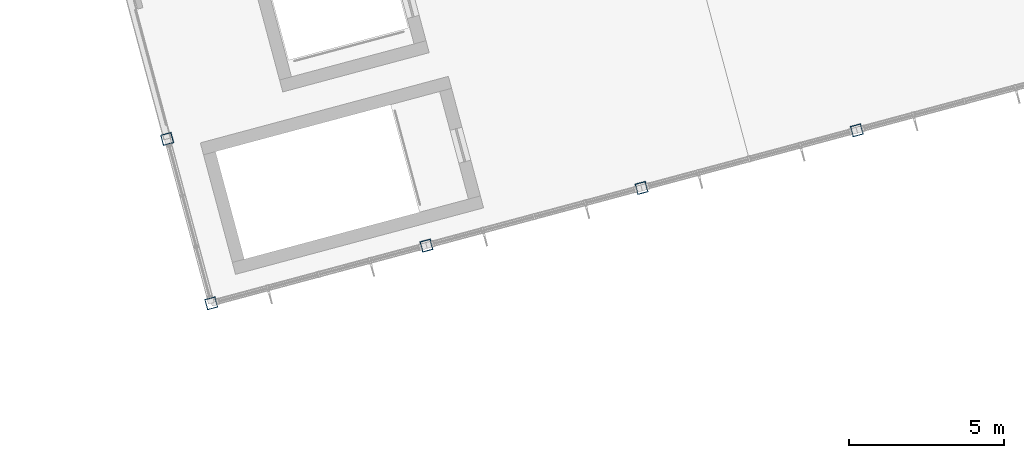
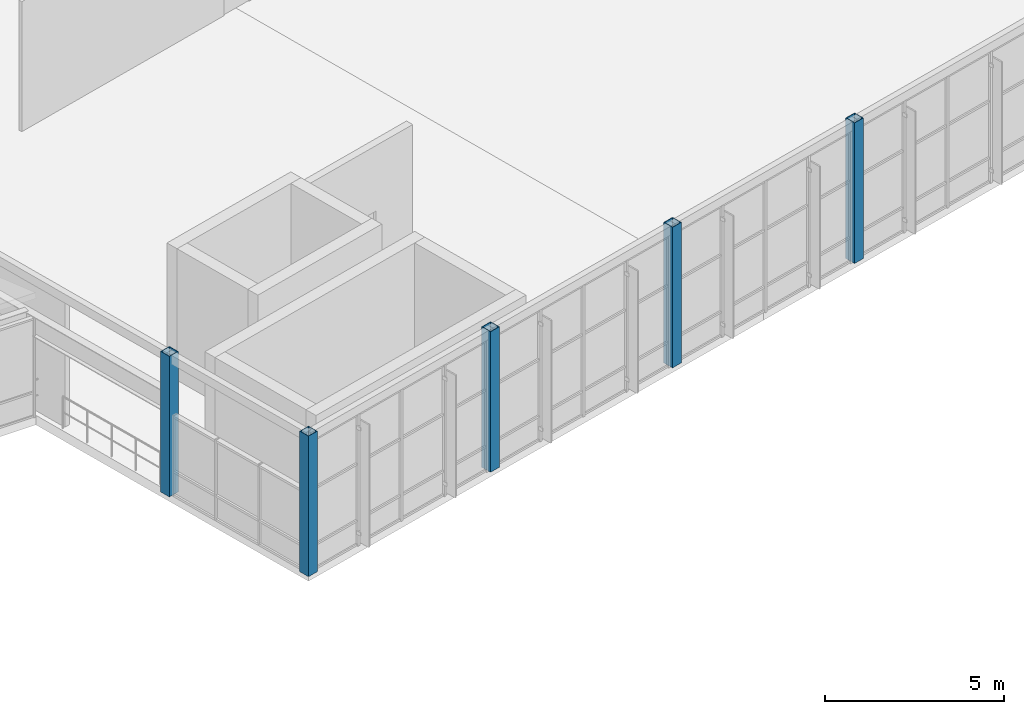
# One storey, part 2 of 99: 5 columns.
"""IFC4 building model written with IfcOpenShell, lengths in metres."""

import ifcopenshell
import ifcopenshell.guid

model = None  # the IFC model being written
_history = None  # IfcOwnerHistory: only IFC2X3 demands one
_inside = {}  # id of a spatial element -> (the spatial element, [elements in it])
_under = {}  # id of a project, library or spatial element -> (it, [spatial elements below it])
_declared = {}  # id of a project -> (the project, [libraries it declares])
_typed = {}  # id of a type object -> (the type object, [elements of that type])
_made_of = {}  # id of a material, layer set ... -> (it, [elements and type objects made of it])


def new_model(schema):
    """Start an empty IFC model of exactly this schema.

    Asked for "IFC4X3", IfcOpenShell would pick the latest addendum, in which some entities
    have other attributes; the version numbers below select the first issue.
    IFC2X3 requires an IfcOwnerHistory on every rooted entity: one is made here for all.
    """
    global model, _history
    if schema == "IFC4X3":
        model = ifcopenshell.file(schema_version=(4, 3, 0, 0))
    else:
        model = ifcopenshell.file(schema=schema)
    _inside.clear()
    _under.clear()
    _declared.clear()
    _typed.clear()
    _made_of.clear()
    _history = None
    if model.schema == "IFC2X3":
        org = make("IfcOrganization", Name="unknown")
        user = make(
            "IfcPersonAndOrganization",
            ThePerson=make("IfcPerson", FamilyName="unknown"),
            TheOrganization=org,
        )
        app = make(
            "IfcApplication",
            ApplicationDeveloper=org,
            Version="unknown",
            ApplicationFullName="unknown",
            ApplicationIdentifier="unknown",
        )
        _history = make(
            "IfcOwnerHistory",
            OwningUser=user,
            OwningApplication=app,
            ChangeAction="ADDED",
            CreationDate=0,
        )
    return model


def make(cls, **values):
    """One entity of the class cls with the attributes given. An attribute that is None is left unset."""
    return model.create_entity(
        cls, **{name: value for name, value in values.items() if value is not None}
    )


def rooted(cls, **values):
    """An entity with a GlobalId (a new one), such as an element, a storey or a relation."""
    return make(cls, GlobalId=ifcopenshell.guid.new(), OwnerHistory=_history, **values)


def si_unit(unit_type, name, prefix=None):
    """IfcSIUnit, for example si_unit("LENGTHUNIT", "METRE", prefix="MILLI")."""
    return make("IfcSIUnit", UnitType=unit_type, Prefix=prefix, Name=name)


def assignment(units):
    """IfcUnitAssignment: the units of a project."""
    return None if units is None else make("IfcUnitAssignment", Units=units)


def point(xyz):
    """IfcCartesianPoint."""
    return None if xyz is None else make("IfcCartesianPoint", Coordinates=xyz)


def direction(xyz):
    """IfcDirection."""
    return None if xyz is None else make("IfcDirection", DirectionRatios=xyz)


def frame(location, z_axis=None, x_axis=None):
    """IfcAxis2Placement3D, a coordinate frame: its origin and axes. An axis left out is left unset."""
    return make(
        "IfcAxis2Placement3D",
        Location=point(location),
        Axis=direction(z_axis),
        RefDirection=direction(x_axis),
    )


def frame_2d(location, x_axis=None):
    """IfcAxis2Placement2D, a coordinate frame in the plane: its origin and x axis."""
    return make(
        "IfcAxis2Placement2D", Location=point(location), RefDirection=direction(x_axis)
    )


def origin():
    """The frame at (0, 0, 0) with its axes left unset."""
    return frame((0.0, 0.0, 0.0))


def origin_2d():
    """The frame at (0, 0) in the plane with its x axis left unset."""
    return frame_2d((0.0, 0.0))


def place(relative_to, where):
    """IfcLocalPlacement: puts the frame where relative to a parent placement (None: the world)."""
    return make(
        "IfcLocalPlacement", PlacementRelTo=relative_to, RelativePlacement=where
    )


def context(
    kind, dimensions, precision=None, world=None, true_north=None, identifier=None
):
    """IfcGeometricRepresentationContext, for example the 3D "Model" context."""
    return make(
        "IfcGeometricRepresentationContext",
        ContextIdentifier=identifier,
        ContextType=kind,
        CoordinateSpaceDimension=dimensions,
        Precision=precision,
        WorldCoordinateSystem=world,
        TrueNorth=true_north,
    )


def subcontext(parent, identifier, kind, view, scale=None):
    """IfcGeometricRepresentationSubContext, for example "Body" below "Model"."""
    return make(
        "IfcGeometricRepresentationSubContext",
        ContextIdentifier=identifier,
        ContextType=kind,
        ParentContext=parent,
        TargetScale=scale,
        TargetView=view,
    )


def project(units=None, contexts=None):
    """IfcProject with its units and contexts."""
    return rooted(
        "IfcProject",
        Name="project",
        RepresentationContexts=contexts,
        UnitsInContext=assignment(units),
    )


def spatial(cls, under=None, at=None, **own):
    """A site, building, storey or space (cls), placed at a placement, below another one or the project."""
    s = rooted(cls, ObjectPlacement=at, **own)
    if under is not None:
        _under.setdefault(under.id(), (under, []))[1].append(s)
    return s


def profile(cls, at=None, kind="AREA", **sizes):
    """A parametric profile (cls). Its sizes go by their IFC names, for example OverallWidth=200.0."""
    return make(cls, ProfileType=kind, Position=at, **sizes)


def hollow_rectangle(**sizes):
    """IfcRectangleHollowProfileDef."""
    return profile("IfcRectangleHollowProfileDef", **sizes)


def extrude(swept, where, along, depth):
    """IfcExtrudedAreaSolid: the profile swept, set in the frame where, extruded along a direction by depth."""
    return make(
        "IfcExtrudedAreaSolid",
        SweptArea=swept,
        Position=where,
        ExtrudedDirection=direction(along),
        Depth=depth,
    )


def shape(context_of_items, identifier, shape_type, items):
    """IfcShapeRepresentation: the items that make up one representation, for example the "Body"."""
    return make(
        "IfcShapeRepresentation",
        ContextOfItems=context_of_items,
        RepresentationIdentifier=identifier,
        RepresentationType=shape_type,
        Items=items,
    )


def material(Name=None, Category=None):
    """IfcMaterial."""
    return make("IfcMaterial", Name=Name, Category=Category)


def material_profile(
    of_material, cross_section, Name=None, Category=None, Priority=None
):
    """IfcMaterialProfile: a cross section and its material."""
    return make(
        "IfcMaterialProfile",
        Name=Name,
        Material=of_material,
        Profile=cross_section,
        Priority=Priority,
        Category=Category,
    )


def profile_set(profiles, Name=None, composite=None):
    """IfcMaterialProfileSet."""
    return make(
        "IfcMaterialProfileSet",
        Name=Name,
        MaterialProfiles=profiles,
        CompositeProfile=composite,
    )


def made_of(thing, what):
    """Note that an element or type object is made of a material, layer set ...; save() writes the relation."""
    if what is not None:
        _made_of.setdefault(what.id(), (what, []))[1].append(thing)
    return thing


def type_object(cls, material=None, **own):
    """A type object (cls), such as IfcWallType, which elements share."""
    return made_of(rooted(cls, **own), material)


def element(
    cls,
    number,
    at=None,
    inside=None,
    cuts=None,
    type_object=None,
    material=None,
    context=None,
    identifier="Body",
    shape_type=None,
    held_by="IfcProductDefinitionShape",
    body=None,
    shapes=None,
    **own,
):
    """One element of the class cls, such as IfcWall. Its Tag is "e" and its number.

    at: its placement. inside: the storey or other place that contains it. cuts: it is an
    opening in that element (IfcRelVoidsElement). A single representation is given by context,
    identifier, shape_type and body (its items); several are given by shapes. held_by: the class
    of the entity that holds the representations. save() writes the other relations.
    """
    e = rooted(cls, Tag="e%d" % number, ObjectPlacement=at, **own)
    if body is not None:
        shapes = [shape(context, identifier, shape_type, body)]
    if shapes is not None:
        e.Representation = make(held_by, Representations=shapes)
    if inside is not None:
        _inside.setdefault(inside.id(), (inside, []))[1].append(e)
    if cuts is not None:
        rooted(
            "IfcRelVoidsElement", RelatingBuildingElement=cuts, RelatedOpeningElement=e
        )
    if type_object is not None:
        _typed.setdefault(type_object.id(), (type_object, []))[1].append(e)
    return made_of(e, material)


def aggregate(whole, parts):
    """IfcRelAggregates: a whole, such as a stair, and the parts it consists of."""
    return rooted("IfcRelAggregates", RelatingObject=whole, RelatedObjects=parts)


def save(model, path):
    """Write the relations noted so far, then the file.

    IfcRelAggregates (storeys below a building ...), IfcRelContainedInSpatialStructure (elements
    in a storey), IfcRelDefinesByType, IfcRelAssociatesMaterial and IfcRelDeclares: one each for
    every whole, place, type object, material and project.
    """
    for whole, parts in _under.values():
        aggregate(whole, parts)
    for where, things in _inside.values():
        rooted(
            "IfcRelContainedInSpatialStructure",
            RelatedElements=things,
            RelatingStructure=where,
        )
    for kind, things in _typed.values():
        rooted("IfcRelDefinesByType", RelatedObjects=things, RelatingType=kind)
    for what, things in _made_of.values():
        rooted("IfcRelAssociatesMaterial", RelatedObjects=things, RelatingMaterial=what)
    for by, libraries in _declared.values():
        rooted("IfcRelDeclares", RelatingContext=by, RelatedDefinitions=libraries)
    model.write(path)


model = new_model("IFC4")

# Units and contexts
model_context = context("Model", 3, precision=1e-05, world=origin(), true_north=direction((0.0, 1.0)))
body_context = subcontext(model_context, "Body", "Model", "MODEL_VIEW")
ifc_project = project(units=[si_unit("LENGTHUNIT", "METRE"), si_unit("AREAUNIT", "SQUARE_METRE"), si_unit("VOLUMEUNIT", "CUBIC_METRE"), si_unit("PLANEANGLEUNIT", "RADIAN"), si_unit("MASSUNIT", "GRAM", prefix="KILO")], contexts=[model_context])

# Site, building, storey
site_placement = place(None, origin())
site = spatial("IfcSite", under=ifc_project, at=site_placement, CompositionType="ELEMENT")
building_placement = place(site_placement, origin())
building = spatial("IfcBuilding", under=site, at=building_placement, Name="Ventoquebrada Cableway Terminal", CompositionType="ELEMENT")
storey_placement = place(building_placement, frame((0.0, 0.0, 9.60009765625)))
storey = spatial("IfcBuildingStorey", under=building, at=storey_placement, Name="L02", CompositionType="ELEMENT", Elevation=9.60009765625)

# Columns
ifc_material = material(Name="Steel ASTM A500 Grade C", Category="steel")
ifc_material_profile = material_profile(ifc_material, hollow_rectangle(XDim=0.35009765625, YDim=0.35009765625, WallThickness=0.01611328125, at=origin_2d()), Name="HSS350X350X16")
ifc_profile_set = profile_set([ifc_material_profile], Name="Steel ASTM A500 Grade C")
column_type = type_object("IfcColumnType", Name="COL-ST05", PredefinedType="COLUMN", material=ifc_profile_set)
for number, where, z_axis, x_axis, name in (
    (1, (51.97802734375, 69.783935546875, 0.0), (0.0, 0.0, 1.0), (0.965925826289, 0.258819045103, 0.0), "Structural column FC-0655"),
    (2, (50.553955078125, 75.096923828125, 0.0), (0.0, 0.0, 1.0), (0.965925826289, 0.258819045103, 0.0), "Structural column FC-0660"),
    (3, (58.93310546875, 71.64794921875, 0.0), (0.0, 0.0, 1.0), (0.965925826289, 0.258819045103, 0.0), "Structural column FC-0680"),
    (4, (65.886962890625, 73.510986328125, 0.0), (0.0, 0.0, 1.0), (0.965925826289, 0.258819045103, 0.0), "Structural column FC-0699"),
    (5, (72.842041015625, 75.375, 0.0), (0.0, 0.0, 1.0), (0.965925826289, 0.258819045103, 0.0), "Structural column FC-0718"),
):
    element("IfcColumn", number, at=place(storey_placement, frame(where, z_axis=z_axis, x_axis=x_axis)), inside=storey, type_object=column_type, Name=name, PredefinedType="COLUMN", context=body_context, shape_type="SweptSolid", body=[
        extrude(hollow_rectangle(XDim=0.35009765625, YDim=0.35009765625, WallThickness=0.01611328125, at=origin_2d()), origin(), (0.0, 0.0, 1.0), 4.7998046875),
    ])

save(model, "model.ifc")
